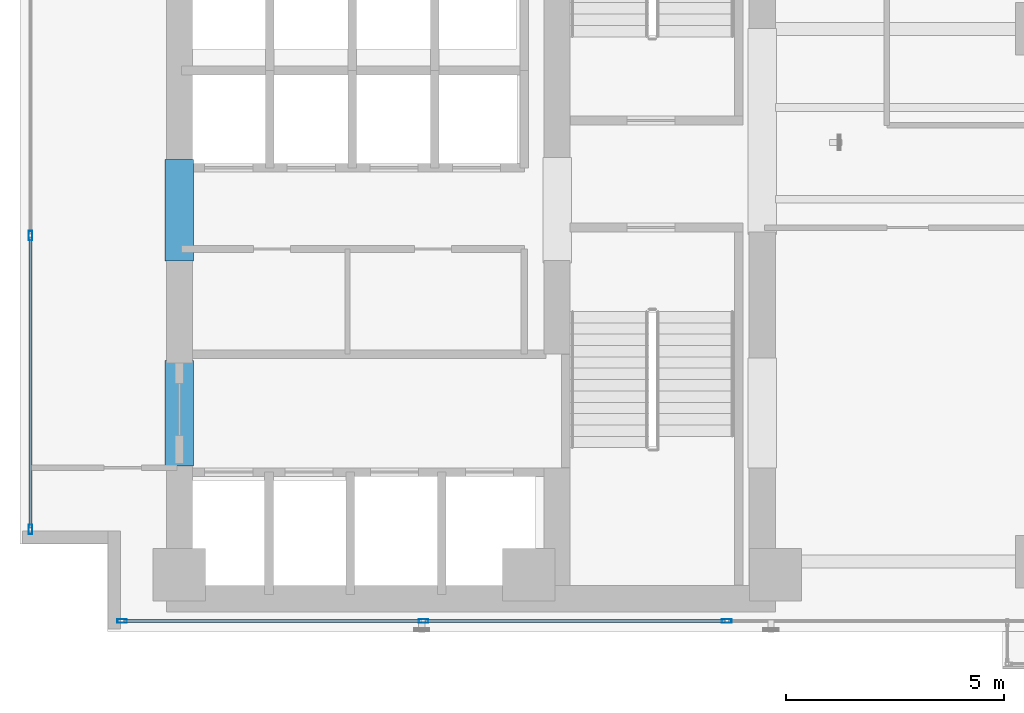
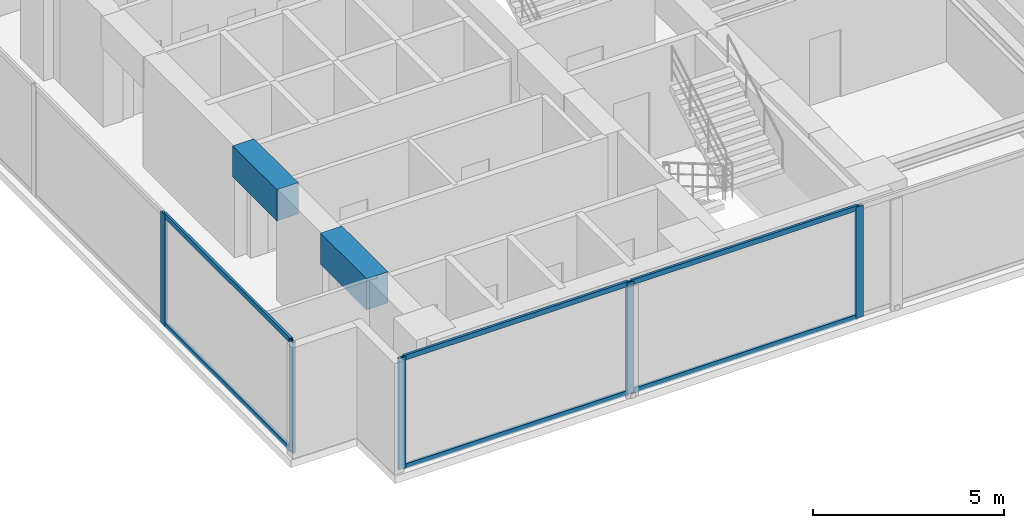
# One storey, part 2 of 24: 11 members, 2 beams, 2 elements without a shape of their own.
"""IFC4 building model written with IfcOpenShell, lengths in metres."""

import ifcopenshell
import ifcopenshell.guid

model = None  # the IFC model being written
_history = None  # IfcOwnerHistory: only IFC2X3 demands one
_inside = {}  # id of a spatial element -> (the spatial element, [elements in it])
_under = {}  # id of a project, library or spatial element -> (it, [spatial elements below it])
_declared = {}  # id of a project -> (the project, [libraries it declares])
_typed = {}  # id of a type object -> (the type object, [elements of that type])
_made_of = {}  # id of a material, layer set ... -> (it, [elements and type objects made of it])


def new_model(schema):
    """Start an empty IFC model of exactly this schema.

    Asked for "IFC4X3", IfcOpenShell would pick the latest addendum, in which some entities
    have other attributes; the version numbers below select the first issue.
    IFC2X3 requires an IfcOwnerHistory on every rooted entity: one is made here for all.
    """
    global model, _history
    if schema == "IFC4X3":
        model = ifcopenshell.file(schema_version=(4, 3, 0, 0))
    else:
        model = ifcopenshell.file(schema=schema)
    _inside.clear()
    _under.clear()
    _declared.clear()
    _typed.clear()
    _made_of.clear()
    _history = None
    if model.schema == "IFC2X3":
        org = make("IfcOrganization", Name="unknown")
        user = make(
            "IfcPersonAndOrganization",
            ThePerson=make("IfcPerson", FamilyName="unknown"),
            TheOrganization=org,
        )
        app = make(
            "IfcApplication",
            ApplicationDeveloper=org,
            Version="unknown",
            ApplicationFullName="unknown",
            ApplicationIdentifier="unknown",
        )
        _history = make(
            "IfcOwnerHistory",
            OwningUser=user,
            OwningApplication=app,
            ChangeAction="ADDED",
            CreationDate=0,
        )
    return model


def make(cls, **values):
    """One entity of the class cls with the attributes given. An attribute that is None is left unset."""
    return model.create_entity(
        cls, **{name: value for name, value in values.items() if value is not None}
    )


def rooted(cls, **values):
    """An entity with a GlobalId (a new one), such as an element, a storey or a relation."""
    return make(cls, GlobalId=ifcopenshell.guid.new(), OwnerHistory=_history, **values)


def si_unit(unit_type, name, prefix=None):
    """IfcSIUnit, for example si_unit("LENGTHUNIT", "METRE", prefix="MILLI")."""
    return make("IfcSIUnit", UnitType=unit_type, Prefix=prefix, Name=name)


def assignment(units):
    """IfcUnitAssignment: the units of a project."""
    return None if units is None else make("IfcUnitAssignment", Units=units)


def point(xyz):
    """IfcCartesianPoint."""
    return None if xyz is None else make("IfcCartesianPoint", Coordinates=xyz)


def direction(xyz):
    """IfcDirection."""
    return None if xyz is None else make("IfcDirection", DirectionRatios=xyz)


def frame(location, z_axis=None, x_axis=None):
    """IfcAxis2Placement3D, a coordinate frame: its origin and axes. An axis left out is left unset."""
    return make(
        "IfcAxis2Placement3D",
        Location=point(location),
        Axis=direction(z_axis),
        RefDirection=direction(x_axis),
    )


def frame_2d(location, x_axis=None):
    """IfcAxis2Placement2D, a coordinate frame in the plane: its origin and x axis."""
    return make(
        "IfcAxis2Placement2D", Location=point(location), RefDirection=direction(x_axis)
    )


def origin():
    """The frame at (0, 0, 0) with its axes left unset."""
    return frame((0.0, 0.0, 0.0))


def origin_with_axes():
    """The frame at (0, 0, 0) with the z axis (0, 0, 1) and the x axis (1, 0, 0) written out."""
    return frame((0.0, 0.0, 0.0), z_axis=(0.0, 0.0, 1.0), x_axis=(1.0, 0.0, 0.0))


def origin_2d():
    """The frame at (0, 0) in the plane with its x axis left unset."""
    return frame_2d((0.0, 0.0))


def place(relative_to, where):
    """IfcLocalPlacement: puts the frame where relative to a parent placement (None: the world)."""
    return make(
        "IfcLocalPlacement", PlacementRelTo=relative_to, RelativePlacement=where
    )


def context(
    kind, dimensions, precision=None, world=None, true_north=None, identifier=None
):
    """IfcGeometricRepresentationContext, for example the 3D "Model" context."""
    return make(
        "IfcGeometricRepresentationContext",
        ContextIdentifier=identifier,
        ContextType=kind,
        CoordinateSpaceDimension=dimensions,
        Precision=precision,
        WorldCoordinateSystem=world,
        TrueNorth=true_north,
    )


def subcontext(parent, identifier, kind, view, scale=None):
    """IfcGeometricRepresentationSubContext, for example "Body" below "Model"."""
    return make(
        "IfcGeometricRepresentationSubContext",
        ContextIdentifier=identifier,
        ContextType=kind,
        ParentContext=parent,
        TargetScale=scale,
        TargetView=view,
    )


def project(units=None, contexts=None):
    """IfcProject with its units and contexts."""
    return rooted(
        "IfcProject",
        Name="project",
        RepresentationContexts=contexts,
        UnitsInContext=assignment(units),
    )


def spatial(cls, under=None, at=None, **own):
    """A site, building, storey or space (cls), placed at a placement, below another one or the project."""
    s = rooted(cls, ObjectPlacement=at, **own)
    if under is not None:
        _under.setdefault(under.id(), (under, []))[1].append(s)
    return s


def profile(cls, at=None, kind="AREA", **sizes):
    """A parametric profile (cls). Its sizes go by their IFC names, for example OverallWidth=200.0."""
    return make(cls, ProfileType=kind, Position=at, **sizes)


def rectangle(**sizes):
    """IfcRectangleProfileDef."""
    return profile("IfcRectangleProfileDef", **sizes)


def hollow_rectangle(**sizes):
    """IfcRectangleHollowProfileDef."""
    return profile("IfcRectangleHollowProfileDef", **sizes)


def extrude(swept, where, along, depth):
    """IfcExtrudedAreaSolid: the profile swept, set in the frame where, extruded along a direction by depth."""
    return make(
        "IfcExtrudedAreaSolid",
        SweptArea=swept,
        Position=where,
        ExtrudedDirection=direction(along),
        Depth=depth,
    )


def shape(context_of_items, identifier, shape_type, items):
    """IfcShapeRepresentation: the items that make up one representation, for example the "Body"."""
    return make(
        "IfcShapeRepresentation",
        ContextOfItems=context_of_items,
        RepresentationIdentifier=identifier,
        RepresentationType=shape_type,
        Items=items,
    )


def source(mapping_origin, context_of_items, identifier, shape_type, items):
    """IfcRepresentationMap: a shape defined once, which mapped items show again and again."""
    return make(
        "IfcRepresentationMap",
        MappingOrigin=mapping_origin,
        MappedRepresentation=shape(context_of_items, identifier, shape_type, items),
    )


def transform(
    local_origin,
    x_axis=None,
    y_axis=None,
    z_axis=None,
    scale=None,
    scale2=None,
    scale3=None,
    uniform=True,
):
    """IfcCartesianTransformationOperator3D, or its non-uniform kind. x_axis, y_axis, z_axis: its Axis1, 2, 3."""
    if uniform:
        return make(
            "IfcCartesianTransformationOperator3D",
            Axis1=direction(x_axis),
            Axis2=direction(y_axis),
            LocalOrigin=point(local_origin),
            Scale=scale,
            Axis3=direction(z_axis),
        )
    return make(
        "IfcCartesianTransformationOperator3DnonUniform",
        Axis1=direction(x_axis),
        Axis2=direction(y_axis),
        LocalOrigin=point(local_origin),
        Scale=scale,
        Axis3=direction(z_axis),
        Scale2=scale2,
        Scale3=scale3,
    )


def mapped(mapping_source, mapping_target):
    """IfcMappedItem: shows the shape of a source again, moved by a transform."""
    return make(
        "IfcMappedItem", MappingSource=mapping_source, MappingTarget=mapping_target
    )


def material(Name=None, Category=None):
    """IfcMaterial."""
    return make("IfcMaterial", Name=Name, Category=Category)


def layer(
    of_material, thickness, ventilated=None, Name=None, Category=None, Priority=None
):
    """IfcMaterialLayer: one layer of a wall or slab, of a material (None: an air gap)."""
    return make(
        "IfcMaterialLayer",
        Material=of_material,
        LayerThickness=thickness,
        IsVentilated=ventilated,
        Name=Name,
        Category=Category,
        Priority=Priority,
    )


def layer_set(layers, Name=None):
    """IfcMaterialLayerSet."""
    return make("IfcMaterialLayerSet", MaterialLayers=layers, LayerSetName=Name)


def material_profile(
    of_material, cross_section, Name=None, Category=None, Priority=None
):
    """IfcMaterialProfile: a cross section and its material."""
    return make(
        "IfcMaterialProfile",
        Name=Name,
        Material=of_material,
        Profile=cross_section,
        Priority=Priority,
        Category=Category,
    )


def profile_set(profiles, Name=None, composite=None):
    """IfcMaterialProfileSet."""
    return make(
        "IfcMaterialProfileSet",
        Name=Name,
        MaterialProfiles=profiles,
        CompositeProfile=composite,
    )


def made_of(thing, what):
    """Note that an element or type object is made of a material, layer set ...; save() writes the relation."""
    if what is not None:
        _made_of.setdefault(what.id(), (what, []))[1].append(thing)
    return thing


def type_object(cls, material=None, **own):
    """A type object (cls), such as IfcWallType, which elements share."""
    return made_of(rooted(cls, **own), material)


def element(
    cls,
    number,
    at=None,
    inside=None,
    cuts=None,
    type_object=None,
    material=None,
    context=None,
    identifier="Body",
    shape_type=None,
    held_by="IfcProductDefinitionShape",
    body=None,
    shapes=None,
    **own,
):
    """One element of the class cls, such as IfcWall. Its Tag is "e" and its number.

    at: its placement. inside: the storey or other place that contains it. cuts: it is an
    opening in that element (IfcRelVoidsElement). A single representation is given by context,
    identifier, shape_type and body (its items); several are given by shapes. held_by: the class
    of the entity that holds the representations. save() writes the other relations.
    """
    e = rooted(cls, Tag="e%d" % number, ObjectPlacement=at, **own)
    if body is not None:
        shapes = [shape(context, identifier, shape_type, body)]
    if shapes is not None:
        e.Representation = make(held_by, Representations=shapes)
    if inside is not None:
        _inside.setdefault(inside.id(), (inside, []))[1].append(e)
    if cuts is not None:
        rooted(
            "IfcRelVoidsElement", RelatingBuildingElement=cuts, RelatedOpeningElement=e
        )
    if type_object is not None:
        _typed.setdefault(type_object.id(), (type_object, []))[1].append(e)
    return made_of(e, material)


def aggregate(whole, parts):
    """IfcRelAggregates: a whole, such as a stair, and the parts it consists of."""
    return rooted("IfcRelAggregates", RelatingObject=whole, RelatedObjects=parts)


def save(model, path):
    """Write the relations noted so far, then the file.

    IfcRelAggregates (storeys below a building ...), IfcRelContainedInSpatialStructure (elements
    in a storey), IfcRelDefinesByType, IfcRelAssociatesMaterial and IfcRelDeclares: one each for
    every whole, place, type object, material and project.
    """
    for whole, parts in _under.values():
        aggregate(whole, parts)
    for where, things in _inside.values():
        rooted(
            "IfcRelContainedInSpatialStructure",
            RelatedElements=things,
            RelatingStructure=where,
        )
    for kind, things in _typed.values():
        rooted("IfcRelDefinesByType", RelatedObjects=things, RelatingType=kind)
    for what, things in _made_of.values():
        rooted("IfcRelAssociatesMaterial", RelatedObjects=things, RelatingMaterial=what)
    for by, libraries in _declared.values():
        rooted("IfcRelDeclares", RelatingContext=by, RelatedDefinitions=libraries)
    model.write(path)


model = new_model("IFC4")

# Units and contexts
model_context = context("Model", 3, precision=1e-05, world=origin(), true_north=direction((0.0, 1.0)))
body_context = subcontext(model_context, "Body", "Model", "MODEL_VIEW")
ifc_project = project(units=[si_unit("LENGTHUNIT", "METRE"), si_unit("AREAUNIT", "SQUARE_METRE"), si_unit("VOLUMEUNIT", "CUBIC_METRE"), si_unit("PLANEANGLEUNIT", "RADIAN"), si_unit("MASSUNIT", "GRAM", prefix="KILO")], contexts=[model_context])

# Site, building, storey
site_placement = place(None, origin())
site = spatial("IfcSite", under=ifc_project, at=site_placement, CompositionType="ELEMENT")
building_placement = place(site_placement, origin())
building = spatial("IfcBuilding", under=site, at=building_placement, Name="Kolvaren Waterfront Exchange", CompositionType="ELEMENT")
storey_placement = place(building_placement, frame((0.0, 0.0, 169.0)))
storey = spatial("IfcBuildingStorey", under=building, at=storey_placement, Name="L43", CompositionType="ELEMENT", Elevation=169.0)

# Beams
ifc_material_1 = material(Name="Concrete C60/75", Category="concrete")
ifc_material_profile_1 = material_profile(ifc_material_1, rectangle(XDim=0.64990234375, YDim=1.0, at=origin_2d()), Name="RC-CB-1000x650")
ifc_profile_set_1 = profile_set([ifc_material_profile_1], Name="Concrete C60/75")
beam_type = type_object("IfcBeamType", Name="STR-CB-1000", PredefinedType="SPANDREL", material=ifc_profile_set_1)
beam_1_placement = place(storey_placement, frame((7.449951171875, 7.389892578125, 3.06005859375), z_axis=(0.0, 1.0, 0.0), x_axis=(-1.0, 0.0, 0.0)))
element("IfcBeam", 1, at=beam_1_placement, inside=storey, type_object=beam_type, Name="L43 core coupling beam 3", PredefinedType="SPANDREL", context=body_context, shape_type="SweptSolid", body=[
    extrude(rectangle(XDim=0.64990234375, YDim=1.0, at=origin_2d()), origin(), (0.0, 0.0, 1.0), 2.420166015625),
])
beam_2_placement = place(storey_placement, frame((7.449951171875, 12.090087890625, 3.06005859375), z_axis=(0.0, 1.0, 0.0), x_axis=(-1.0, 0.0, 0.0)))
element("IfcBeam", 2, at=beam_2_placement, inside=storey, type_object=beam_type, Name="L43 core coupling beam 4", PredefinedType="SPANDREL", context=body_context, shape_type="SweptSolid", body=[
    extrude(rectangle(XDim=0.64990234375, YDim=1.0, at=origin_2d()), origin(), (0.0, 0.0, 1.0), 2.31982421875),
])

# Curtain wall, members
ifc_material_2 = material(Name="Anodised bronze aluminium 6063-T6", Category="aluminium")
ifc_layer_1 = layer(ifc_material_2, 0.219970703125, Name="Anodised bronze aluminium 6063-T6")
ifc_layer_set_1 = layer_set([ifc_layer_1], Name="Anodised bronze aluminium 6063-T6")
curtain_wall_type_1 = type_object("IfcCurtainWallType", Name="ARC-CW-SYS1", PredefinedType="USERDEFINED", material=ifc_layer_set_1)
curtain_wall_1_placement = place(storey_placement, origin())
curtain_wall_1 = element("IfcCurtainWall", 3, at=curtain_wall_1_placement, inside=storey, type_object=curtain_wall_type_1, Name="L43 stick curtain wall CW1 (CW-L43-S)", ObjectType="STICK CURTAIN WALL", PredefinedType="USERDEFINED")
ifc_material_3 = material(Name="Anodised aluminium 6063-T6", Category="aluminium")
ifc_material_profile_2 = material_profile(ifc_material_3, hollow_rectangle(XDim=0.080078125, YDim=0.219970703125, WallThickness=0.0048828125, at=origin_2d()), Name="ALU-MUL-220x80x5")
ifc_profile_set_2 = profile_set([ifc_material_profile_2], Name="Anodised aluminium 6063-T6")
member_type_1 = type_object("IfcMemberType", Name="ARC-CWM-220", PredefinedType="MULLION", material=ifc_profile_set_2)
shared_shape_1 = source(origin_with_axes(), body_context, "Body", "SweptSolid", [
    extrude(hollow_rectangle(XDim=0.080078125, YDim=0.219970703125, WallThickness=0.0048828125, at=origin_2d()), origin(), (0.0, 0.0, 1.0), 3.56005859375),
])
member_1_placement = place(storey_placement, frame((6.139892578125, 3.840087890625, 0.0), z_axis=(0.0, 0.0, 1.0), x_axis=(0.0, 1.0, 0.0)))
member_1 = element("IfcMember", 4, at=member_1_placement, type_object=member_type_1, Name="CW1 mullion 1", PredefinedType="MULLION", context=body_context, shape_type="MappedRepresentation", body=[
    mapped(shared_shape_1, transform((0.0, 0.0, 0.0), x_axis=(1.0, 0.0, 0.0), y_axis=(0.0, 1.0, 0.0), z_axis=(0.0, 0.0, 1.0), scale=1.0)),
])
member_2_placement = place(storey_placement, frame((13.04296875, 3.840087890625, 0.0), z_axis=(0.0, 0.0, 1.0), x_axis=(0.0, 1.0, 0.0)))
member_2 = element("IfcMember", 5, at=member_2_placement, type_object=member_type_1, Name="CW1 mullion 2", PredefinedType="MULLION", context=body_context, shape_type="MappedRepresentation", body=[
    mapped(shared_shape_1, transform((0.0, 0.0, 0.0), x_axis=(1.0, 0.0, 0.0), y_axis=(0.0, 1.0, 0.0), z_axis=(0.0, 0.0, 1.0), scale=1.0)),
])
member_3_placement = place(storey_placement, frame((19.985595703125, 3.840087890625, 0.0), z_axis=(0.0, 0.0, 1.0), x_axis=(0.0, 1.0, 0.0)))
member_3 = element("IfcMember", 6, at=member_3_placement, type_object=member_type_1, Name="CW1 mullion 3", PredefinedType="MULLION", context=body_context, shape_type="MappedRepresentation", body=[
    mapped(shared_shape_1, transform((0.0, 0.0, 0.0), x_axis=(1.0, 0.0, 0.0), y_axis=(0.0, 1.0, 0.0), z_axis=(0.0, 0.0, 1.0), scale=1.0)),
])

ifc_layer_2 = layer(ifc_material_3, 0.219970703125, Name="Anodised aluminium 6063-T6")
ifc_layer_set_2 = layer_set([ifc_layer_2], Name="Anodised aluminium 6063-T6")
curtain_wall_type_2 = type_object("IfcCurtainWallType", Name="ARC-CW-SYS2", PredefinedType="USERDEFINED", material=ifc_layer_set_2)
curtain_wall_2_placement = place(storey_placement, origin())
curtain_wall_2 = element("IfcCurtainWall", 7, at=curtain_wall_2_placement, inside=storey, type_object=curtain_wall_type_2, Name="L43 stick curtain wall CW2 (CW-L43-W)", ObjectType="STICK CURTAIN WALL", PredefinedType="USERDEFINED")
member_4_placement = place(storey_placement, frame((4.0400390625, 5.93994140625, 0.0), z_axis=(0.0, 0.0, 1.0), x_axis=(-1.0, 0.0, 0.0)))
member_4 = element("IfcMember", 8, at=member_4_placement, type_object=member_type_1, Name="CW2 mullion 1", PredefinedType="MULLION", context=body_context, shape_type="MappedRepresentation", body=[
    mapped(shared_shape_1, transform((0.0, 0.0, 0.0), x_axis=(1.0, 0.0, 0.0), y_axis=(0.0, 1.0, 0.0), z_axis=(0.0, 0.0, 1.0), scale=1.0)),
])
member_5_placement = place(storey_placement, frame((4.0400390625, 12.666748046875, 0.0), z_axis=(0.0, 0.0, 1.0), x_axis=(-1.0, 0.0, 0.0)))
member_5 = element("IfcMember", 9, at=member_5_placement, type_object=member_type_1, Name="CW2 mullion 2", PredefinedType="MULLION", context=body_context, shape_type="MappedRepresentation", body=[
    mapped(shared_shape_1, transform((0.0, 0.0, 0.0), x_axis=(1.0, 0.0, 0.0), y_axis=(0.0, 1.0, 0.0), z_axis=(0.0, 0.0, 1.0), scale=1.0)),
])

# Member
ifc_material_profile_3 = material_profile(ifc_material_3, hollow_rectangle(XDim=0.074951171875, YDim=0.159912109375, WallThickness=0.00439453125, at=origin_2d()), Name="ALU-TRN-160x75x4.5")
ifc_profile_set_3 = profile_set([ifc_material_profile_3], Name="Anodised aluminium 6063-T6")
member_type_2 = type_object("IfcMemberType", Name="ARC-CWT-160", PredefinedType="USERDEFINED", material=ifc_profile_set_3)
shared_shape_2 = source(origin_with_axes(), body_context, "Body", "SweptSolid", [
    extrude(hollow_rectangle(XDim=0.074951171875, YDim=0.159912109375, WallThickness=0.00439453125, at=origin_2d()), origin(), (0.0, 0.0, 1.0), 6.822998046875),
])
member_6_placement = place(storey_placement, frame((6.179931640625, 3.840087890625, 0.03759765625), z_axis=(1.0, 0.0, 0.0), x_axis=(0.0, 1.0, 0.0)))
member_6 = element("IfcMember", 10, at=member_6_placement, type_object=member_type_2, Name="CW1 transom 1.1", ObjectType="TRANSOM", PredefinedType="USERDEFINED", context=body_context, shape_type="MappedRepresentation", body=[
    mapped(shared_shape_2, transform((0.0, 0.0, 0.0), x_axis=(1.0, 0.0, 0.0), y_axis=(0.0, 1.0, 0.0), z_axis=(0.0, 0.0, 1.0), scale=1.0)),
])

member_7_placement = place(storey_placement, frame((6.179931640625, 3.840087890625, 3.5224609375), z_axis=(1.0, 0.0, 0.0), x_axis=(0.0, 1.0, 0.0)))
member_7 = element("IfcMember", 11, at=member_7_placement, type_object=member_type_2, Name="CW1 transom 1.2", ObjectType="TRANSOM", PredefinedType="USERDEFINED", context=body_context, shape_type="MappedRepresentation", body=[
    mapped(shared_shape_2, transform((0.0, 0.0, 0.0), x_axis=(1.0, 0.0, 0.0), y_axis=(0.0, 1.0, 0.0), z_axis=(0.0, 0.0, 1.0), scale=1.0)),
])

shared_shape_3 = source(origin_with_axes(), body_context, "Body", "SweptSolid", [
    extrude(hollow_rectangle(XDim=0.074951171875, YDim=0.159912109375, WallThickness=0.00439453125, at=origin_2d()), origin(), (0.0, 0.0, 1.0), 6.863037109375),
])
member_8_placement = place(storey_placement, frame((13.082763671875, 3.840087890625, 0.03759765625), z_axis=(1.0, 0.0, 0.0), x_axis=(0.0, 1.0, 0.0)))
member_8 = element("IfcMember", 12, at=member_8_placement, type_object=member_type_2, Name="CW1 transom 2.1", ObjectType="TRANSOM", PredefinedType="USERDEFINED", context=body_context, shape_type="MappedRepresentation", body=[
    mapped(shared_shape_3, transform((0.0, 0.0, 0.0), x_axis=(1.0, 0.0, 0.0), y_axis=(0.0, 1.0, 0.0), z_axis=(0.0, 0.0, 1.0), scale=1.0)),
])

member_9_placement = place(storey_placement, frame((13.082763671875, 3.840087890625, 3.5224609375), z_axis=(1.0, 0.0, 0.0), x_axis=(0.0, 1.0, 0.0)))
member_9 = element("IfcMember", 13, at=member_9_placement, type_object=member_type_2, Name="CW1 transom 2.2", ObjectType="TRANSOM", PredefinedType="USERDEFINED", context=body_context, shape_type="MappedRepresentation", body=[
    mapped(shared_shape_3, transform((0.0, 0.0, 0.0), x_axis=(1.0, 0.0, 0.0), y_axis=(0.0, 1.0, 0.0), z_axis=(0.0, 0.0, 1.0), scale=1.0)),
])

aggregate(curtain_wall_1, [member_1, member_2, member_3, member_6, member_7, member_8, member_9])

shared_shape_4 = source(origin_with_axes(), body_context, "Body", "SweptSolid", [
    extrude(hollow_rectangle(XDim=0.074951171875, YDim=0.159912109375, WallThickness=0.00439453125, at=origin_2d()), origin(), (0.0, 0.0, 1.0), 6.646728515625),
])
member_10_placement = place(storey_placement, frame((4.0400390625, 5.97998046875, 0.03759765625), z_axis=(0.0, 1.0, 0.0), x_axis=(-1.0, 0.0, 0.0)))
member_10 = element("IfcMember", 14, at=member_10_placement, type_object=member_type_2, Name="CW2 transom 1.1", ObjectType="TRANSOM", PredefinedType="USERDEFINED", context=body_context, shape_type="MappedRepresentation", body=[
    mapped(shared_shape_4, transform((0.0, 0.0, 0.0), x_axis=(1.0, 0.0, 0.0), y_axis=(0.0, 1.0, 0.0), z_axis=(0.0, 0.0, 1.0), scale=1.0)),
])

member_11_placement = place(storey_placement, frame((4.0400390625, 5.97998046875, 3.5224609375), z_axis=(0.0, 1.0, 0.0), x_axis=(-1.0, 0.0, 0.0)))
member_11 = element("IfcMember", 15, at=member_11_placement, type_object=member_type_2, Name="CW2 transom 1.2", ObjectType="TRANSOM", PredefinedType="USERDEFINED", context=body_context, shape_type="MappedRepresentation", body=[
    mapped(shared_shape_4, transform((0.0, 0.0, 0.0), x_axis=(1.0, 0.0, 0.0), y_axis=(0.0, 1.0, 0.0), z_axis=(0.0, 0.0, 1.0), scale=1.0)),
])

aggregate(curtain_wall_2, [member_4, member_5, member_10, member_11])

save(model, "model.ifc")
